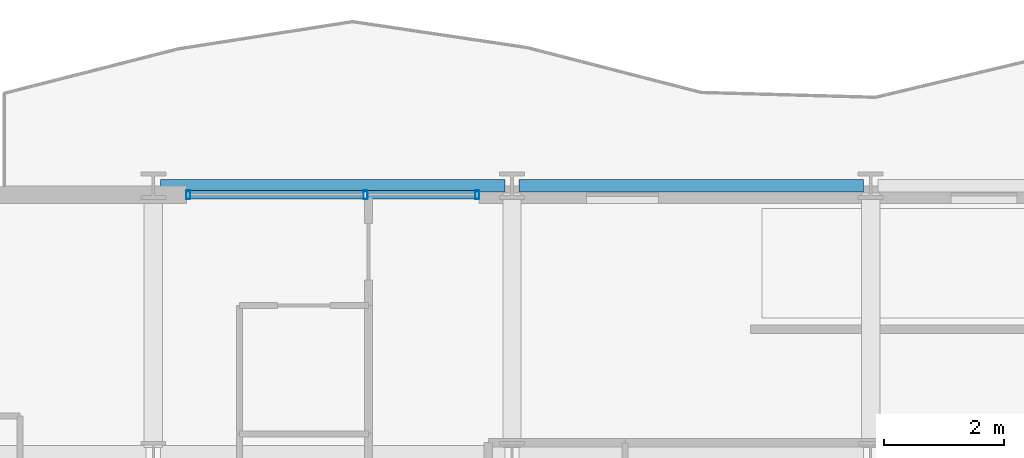
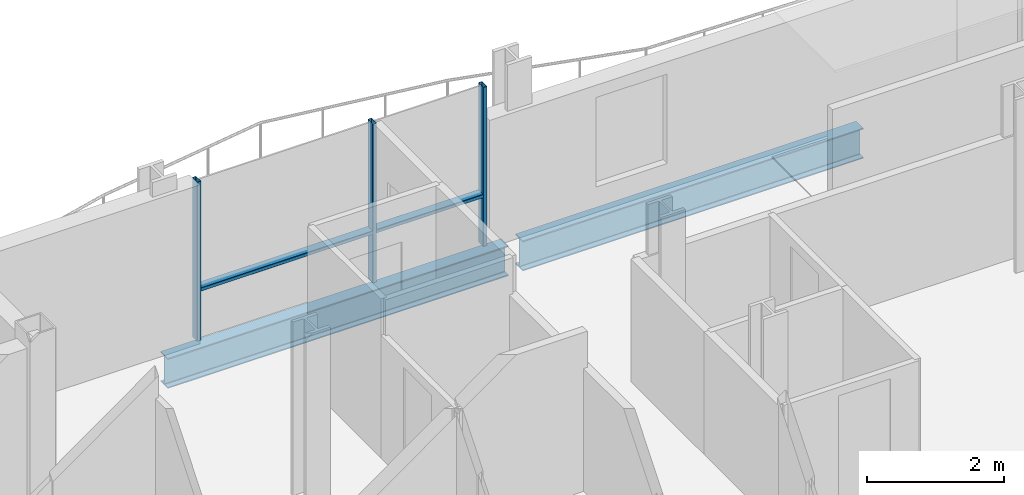
# One storey, part 21 of 41: 5 members, 2 beams, 1 element without a shape of its own.
"""IFC4 building model written with IfcOpenShell, lengths in metres."""

from ifc_helpers import new_model, si_unit, direction, frame, origin, origin_2d, place, context, subcontext, project, spatial, hollow_rectangle, i_section, extrude, material, layer, layer_set, material_profile, profile_set, type_object, element, aggregate, save


model = new_model("IFC4")

# Units and contexts
model_context = context("Model", 3, precision=1e-05, world=origin(), true_north=direction((0.0, 1.0)))
body_context = subcontext(model_context, "Body", "Model", "MODEL_VIEW")
ifc_project = project(units=[si_unit("LENGTHUNIT", "METRE"), si_unit("AREAUNIT", "SQUARE_METRE"), si_unit("VOLUMEUNIT", "CUBIC_METRE"), si_unit("PLANEANGLEUNIT", "RADIAN"), si_unit("MASSUNIT", "GRAM", prefix="KILO")], contexts=[model_context])

# Site, building, storey
site_placement = place(None, origin())
site = spatial("IfcSite", under=ifc_project, at=site_placement, CompositionType="ELEMENT")
building_placement = place(site_placement, origin())
building = spatial("IfcBuilding", under=site, at=building_placement, Name="Brevholm Reach", CompositionType="ELEMENT")
storey_placement = place(building_placement, frame((0.0, 0.0, 93.10009765625)))
storey = spatial("IfcBuildingStorey", under=building, at=storey_placement, Name="L27", CompositionType="ELEMENT", Elevation=93.10009765625)

# Beams
ifc_material_1 = material(Name="Structural Steel S355J2", Category="steel")
ifc_material_profile_1 = material_profile(ifc_material_1, i_section(OverallWidth=0.210693359375, OverallDepth=0.53955078125, WebThickness=0.01171875, FlangeThickness=0.018798828125, FilletRadius=0.0126953125, at=origin_2d()), Name="UKB 533x210x109")
ifc_profile_set_1 = profile_set([ifc_material_profile_1], Name="Structural Steel S355J2")
beam_type = type_object("IfcBeamType", Name="BM-SP539", PredefinedType="SPANDREL", material=ifc_profile_set_1)
for number, where, z_axis, x_axis, name in (
    (1, (6.1201171875, 31.0, -0.499755859375), (1.0, 0.0, 0.0), (0.0, 1.0, 0.0), "L27 SP-01B Framing Beam"),
    (2, (12.1201171875, 31.0, -0.499755859375), (1.0, 0.0, 0.0), (0.0, 1.0, 0.0), "L27 SP-01B Framing Beam"),
):
    element("IfcBeam", number, at=place(storey_placement, frame(where, z_axis=z_axis, x_axis=x_axis)), inside=storey, type_object=beam_type, Name=name, PredefinedType="SPANDREL", context=body_context, shape_type="SweptSolid", body=[
        extrude(i_section(OverallWidth=0.210693359375, OverallDepth=0.53955078125, WebThickness=0.01171875, FlangeThickness=0.018798828125, FilletRadius=0.0126953125, at=origin_2d()), origin(), (0.0, 0.0, 1.0), 5.759765625),
    ])

# Curtain wall, members
ifc_material_2 = material(Name="Dark Anodised Aluminium 6063-T6 and Solar-Control Glass", Category="aluminium")
ifc_layer = layer(ifc_material_2, 0.14990234375)
ifc_layer_set = layer_set([ifc_layer], Name="Dark Anodised Aluminium 6063-T6 and Solar-Control Glass")
curtain_wall_type = type_object("IfcCurtainWallType", Name="CW-01", PredefinedType="NOTDEFINED", material=ifc_layer_set)
curtain_wall_placement = place(storey_placement, origin())
curtain_wall = element("IfcCurtainWall", 3, at=curtain_wall_placement, inside=storey, type_object=curtain_wall_type, Name="L27 Curtain Wall CW-01", PredefinedType="NOTDEFINED")
ifc_material_3 = material(Name="Dark Anodised Aluminium 6063-T6", Category="aluminium")
ifc_material_profile_2 = material_profile(ifc_material_3, hollow_rectangle(XDim=0.06494140625, YDim=0.14990234375, WallThickness=0.0048828125, InnerFilletRadius=0.0048828125, OuterFilletRadius=0.010009765625, at=origin_2d()), Name="RHS 150x65x5")
ifc_profile_set_2 = profile_set([ifc_material_profile_2], Name="Dark Anodised Aluminium 6063-T6")
member_type_1 = type_object("IfcMemberType", Name="CWM-150", PredefinedType="MULLION", material=ifc_profile_set_2)
member_1_placement = place(storey_placement, frame((6.58251953125, 30.85009765625, 0.0), z_axis=(0.0, 0.0, 1.0), x_axis=(1.0, 0.0, 0.0)))
member_1 = element("IfcMember", 4, at=member_1_placement, type_object=member_type_1, Name="CM-150 Mullion 1", PredefinedType="MULLION", context=body_context, shape_type="SweptSolid", body=[
    extrude(hollow_rectangle(XDim=0.06494140625, YDim=0.14990234375, WallThickness=0.0048828125, InnerFilletRadius=0.0048828125, OuterFilletRadius=0.010009765625, at=origin_2d()), origin(), (0.0, 0.0, 1.0), 2.83984375),
])
member_2_placement = place(storey_placement, frame((9.550048828125, 30.85009765625, 0.0), z_axis=(0.0, 0.0, 1.0), x_axis=(1.0, 0.0, 0.0)))
member_2 = element("IfcMember", 5, at=member_2_placement, type_object=member_type_1, Name="CM-150 Mullion 2", PredefinedType="MULLION", context=body_context, shape_type="SweptSolid", body=[
    extrude(hollow_rectangle(XDim=0.06494140625, YDim=0.14990234375, WallThickness=0.0048828125, InnerFilletRadius=0.0048828125, OuterFilletRadius=0.010009765625, at=origin_2d()), origin(), (0.0, 0.0, 1.0), 2.83984375),
])
member_3_placement = place(storey_placement, frame((11.41748046875, 30.85009765625, 0.0), z_axis=(0.0, 0.0, 1.0), x_axis=(1.0, 0.0, 0.0)))
member_3 = element("IfcMember", 6, at=member_3_placement, type_object=member_type_1, Name="CM-150 Mullion 3", PredefinedType="MULLION", context=body_context, shape_type="SweptSolid", body=[
    extrude(hollow_rectangle(XDim=0.06494140625, YDim=0.14990234375, WallThickness=0.0048828125, InnerFilletRadius=0.0048828125, OuterFilletRadius=0.010009765625, at=origin_2d()), origin(), (0.0, 0.0, 1.0), 2.83984375),
])
ifc_material_4 = material(Name="Dark Anodised Aluminium 6063-T6", Category="aluminium")
ifc_material_profile_3 = material_profile(ifc_material_4, hollow_rectangle(XDim=0.06494140625, YDim=0.14990234375, WallThickness=0.0048828125, InnerFilletRadius=0.0048828125, OuterFilletRadius=0.010009765625, at=origin_2d()), Name="RHS 150x65x5")
ifc_profile_set_3 = profile_set([ifc_material_profile_3], Name="Dark Anodised Aluminium 6063-T6")
member_type_2 = type_object("IfcMemberType", Name="CWT-150", PredefinedType="NOTDEFINED", material=ifc_profile_set_3)
member_4_placement = place(storey_placement, frame((6.614990234375, 30.85009765625, 0.89990234375), z_axis=(1.0, 0.0, 0.0), x_axis=(0.0, 0.0, 1.0)))
member_4 = element("IfcMember", 7, at=member_4_placement, type_object=member_type_2, Name="CT-150 Transom 1.1", ObjectType="TRANSOM", PredefinedType="USERDEFINED", context=body_context, shape_type="SweptSolid", body=[
    extrude(hollow_rectangle(XDim=0.06494140625, YDim=0.14990234375, WallThickness=0.0048828125, InnerFilletRadius=0.0048828125, OuterFilletRadius=0.010009765625, at=origin_2d()), origin(), (0.0, 0.0, 1.0), 2.902587890625),
])
member_5_placement = place(storey_placement, frame((9.58251953125, 30.85009765625, 0.89990234375), z_axis=(1.0, 0.0, 0.0), x_axis=(0.0, 0.0, 1.0)))
member_5 = element("IfcMember", 8, at=member_5_placement, type_object=member_type_2, Name="CT-150 Transom 2.1", ObjectType="TRANSOM", PredefinedType="USERDEFINED", context=body_context, shape_type="SweptSolid", body=[
    extrude(hollow_rectangle(XDim=0.06494140625, YDim=0.14990234375, WallThickness=0.0048828125, InnerFilletRadius=0.0048828125, OuterFilletRadius=0.010009765625, at=origin_2d()), origin(), (0.0, 0.0, 1.0), 1.802490234375),
])
aggregate(curtain_wall, [member_1, member_2, member_3, member_4, member_5])

save(model, "model.ifc")
